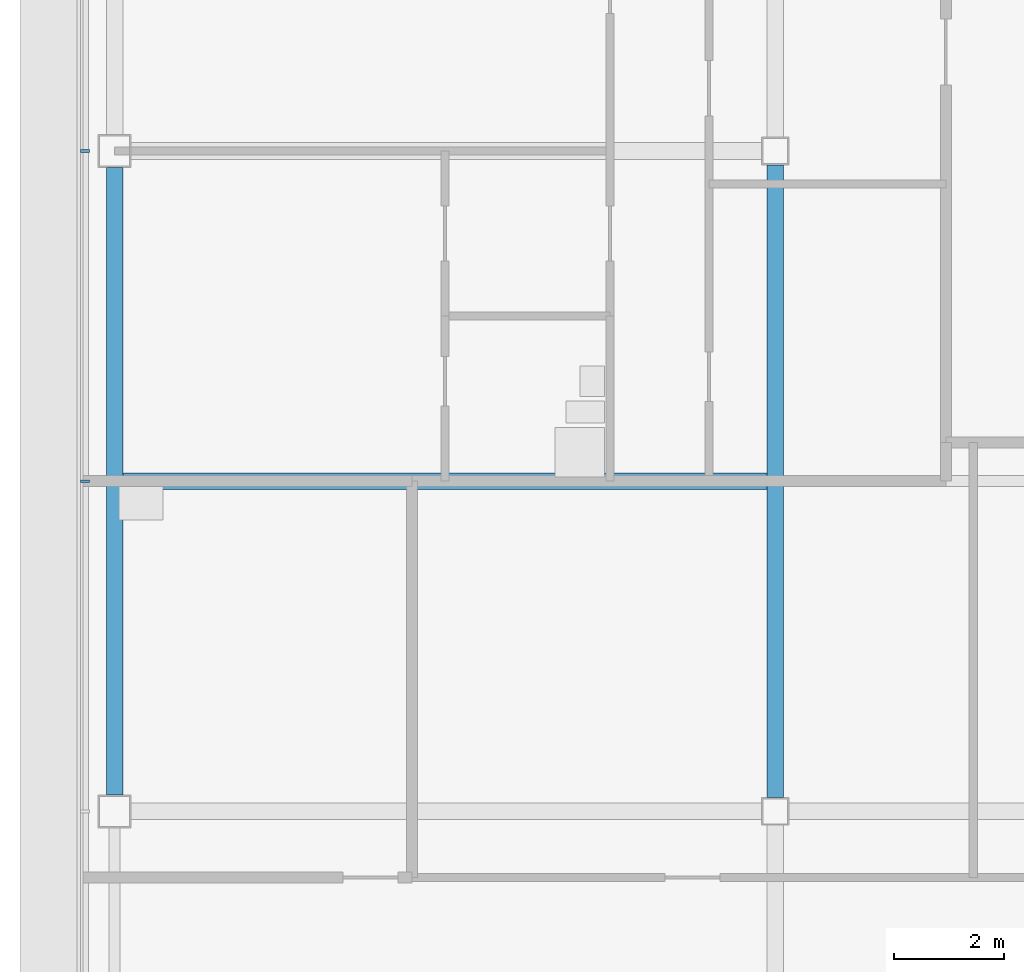
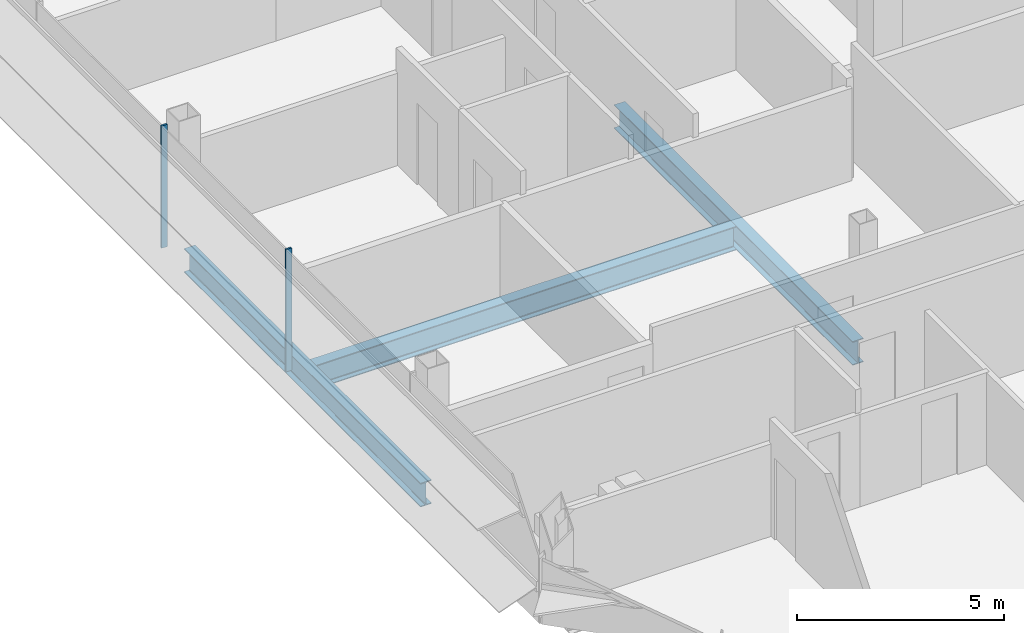
# One storey, part 5 of 28: 3 beams, 2 members, 1 element without a shape of its own.
"""IFC4 building model written with IfcOpenShell, lengths in metres."""

from ifc_helpers import new_model, si_unit, direction, frame, origin, origin_2d, place, context, subcontext, project, spatial, rectangle, i_section, extrude, material, material_profile, profile_set, type_object, element, aggregate, save


model = new_model("IFC4")

# Units and contexts
model_context = context("Model", 3, precision=1e-05, world=origin(), true_north=direction((0.0, 1.0)))
body_context = subcontext(model_context, "Body", "Model", "MODEL_VIEW")
ifc_project = project(units=[si_unit("LENGTHUNIT", "METRE"), si_unit("AREAUNIT", "SQUARE_METRE"), si_unit("VOLUMEUNIT", "CUBIC_METRE"), si_unit("PLANEANGLEUNIT", "RADIAN"), si_unit("MASSUNIT", "GRAM", prefix="KILO")], contexts=[model_context])

# Site, building, storey
site_placement = place(None, origin())
site = spatial("IfcSite", under=ifc_project, at=site_placement, CompositionType="ELEMENT")
building_placement = place(site_placement, origin())
building = spatial("IfcBuilding", under=site, at=building_placement, Name="Sorahane Residences", CompositionType="ELEMENT")
storey_placement = place(building_placement, frame((0.0, 0.0, 266.60009765625)))
storey = spatial("IfcBuildingStorey", under=building, at=storey_placement, Name="L63", CompositionType="ELEMENT", Elevation=266.60009765625)

# Curtain wall, members
ifc_material_1 = material(Name="Dark low-e glass and black anodised aluminium", Category="aluminium")
curtain_wall_type = type_object("IfcCurtainWallType", Name="Curtain wall CW-1 Typical unitised wall", PredefinedType="NOTDEFINED", material=ifc_material_1)
curtain_wall_placement = place(storey_placement, origin())
curtain_wall = element("IfcCurtainWall", 1, at=curtain_wall_placement, inside=storey, type_object=curtain_wall_type, Name="CW-1 curtain wall L63 W1", PredefinedType="NOTDEFINED")
ifc_material_2 = material(Name="Black anodised aluminium", Category="aluminium")
ifc_material_profile_1 = material_profile(ifc_material_2, rectangle(XDim=0.159912109375, YDim=0.050048828125, at=origin_2d()), Name="Curtain wall mullion CW-1 black anodised aluminium 50x160")
ifc_profile_set_1 = profile_set([ifc_material_profile_1], Name="Black anodised aluminium")
member_type = type_object("IfcMemberType", Name="Curtain wall mullion CW-1 black anodised aluminium 50x160", PredefinedType="MULLION", material=ifc_profile_set_1)
member_1_placement = place(storey_placement, frame((-12.5400390625, 24.0, -0.18017578125), z_axis=(0.0, 0.0, 1.0), x_axis=(-1.0, 0.0, 0.0)))
member_1 = element("IfcMember", 2, at=member_1_placement, type_object=member_type, Name="CW-1 mullion L63 W1.4", PredefinedType="MULLION", context=body_context, shape_type="SweptSolid", body=[
    extrude(rectangle(XDim=0.159912109375, YDim=0.050048828125, at=origin_2d()), origin(), (0.0, 0.0, 1.0), 3.60009765625),
])
member_2_placement = place(storey_placement, frame((-12.5400390625, 18.0, -0.18017578125), z_axis=(0.0, 0.0, 1.0), x_axis=(-1.0, 0.0, 0.0)))
member_2 = element("IfcMember", 3, at=member_2_placement, type_object=member_type, Name="CW-1 mullion L63 W1.5", PredefinedType="MULLION", context=body_context, shape_type="SweptSolid", body=[
    extrude(rectangle(XDim=0.159912109375, YDim=0.050048828125, at=origin_2d()), origin(), (0.0, 0.0, 1.0), 3.60009765625),
])
aggregate(curtain_wall, [member_1, member_2])

# Beams
ifc_material_3 = material(Name="Steel Q355B", Category="steel")
ifc_material_profile_2 = material_profile(ifc_material_3, i_section(OverallWidth=0.300048828125, OverallDepth=0.699951171875, WebThickness=0.012939453125, FlangeThickness=0.02392578125, FilletRadius=0.028076171875, at=origin_2d()), Name="HN 700x300x13x24")
ifc_profile_set_2 = profile_set([ifc_material_profile_2], Name="Steel Q355B")
beam_type = type_object("IfcBeamType", Name="Steel floor beam HN 700x300x13x24 Q355B", PredefinedType="BEAM", material=ifc_profile_set_2)
beam_1_placement = place(storey_placement, frame((-12.0, 12.300048828125, -0.530029296875), z_axis=(0.0, 1.0, 0.0), x_axis=(-1.0, 0.0, 0.0)))
element("IfcBeam", 4, at=beam_1_placement, inside=storey, type_object=beam_type, Name="Beam L63 021", PredefinedType="BEAM", context=body_context, shape_type="SweptSolid", body=[
    extrude(i_section(OverallWidth=0.300048828125, OverallDepth=0.699951171875, WebThickness=0.012939453125, FlangeThickness=0.02392578125, FilletRadius=0.028076171875, at=origin_2d()), origin(), (0.0, 0.0, 1.0), 11.39990234375),
])
beam_2_placement = place(storey_placement, frame((0.0, 12.25, -0.530029296875), z_axis=(0.0, 1.0, 0.0), x_axis=(-1.0, 0.0, 0.0)))
element("IfcBeam", 5, at=beam_2_placement, inside=storey, type_object=beam_type, Name="Beam L63 025", PredefinedType="BEAM", context=body_context, shape_type="SweptSolid", body=[
    extrude(i_section(OverallWidth=0.300048828125, OverallDepth=0.699951171875, WebThickness=0.012939453125, FlangeThickness=0.02392578125, FilletRadius=0.028076171875, at=origin_2d()), origin(), (0.0, 0.0, 1.0), 11.5),
])
beam_3_placement = place(storey_placement, frame((-11.85009765625, 18.0, -0.530029296875), z_axis=(1.0, 0.0, 0.0), x_axis=(0.0, 1.0, 0.0)))
element("IfcBeam", 6, at=beam_3_placement, inside=storey, type_object=beam_type, Name="Beam L63 078", PredefinedType="BEAM", context=body_context, shape_type="SweptSolid", body=[
    extrude(i_section(OverallWidth=0.300048828125, OverallDepth=0.699951171875, WebThickness=0.012939453125, FlangeThickness=0.02392578125, FilletRadius=0.028076171875, at=origin_2d()), origin(), (0.0, 0.0, 1.0), 11.7001953125),
])

save(model, "model.ifc")
